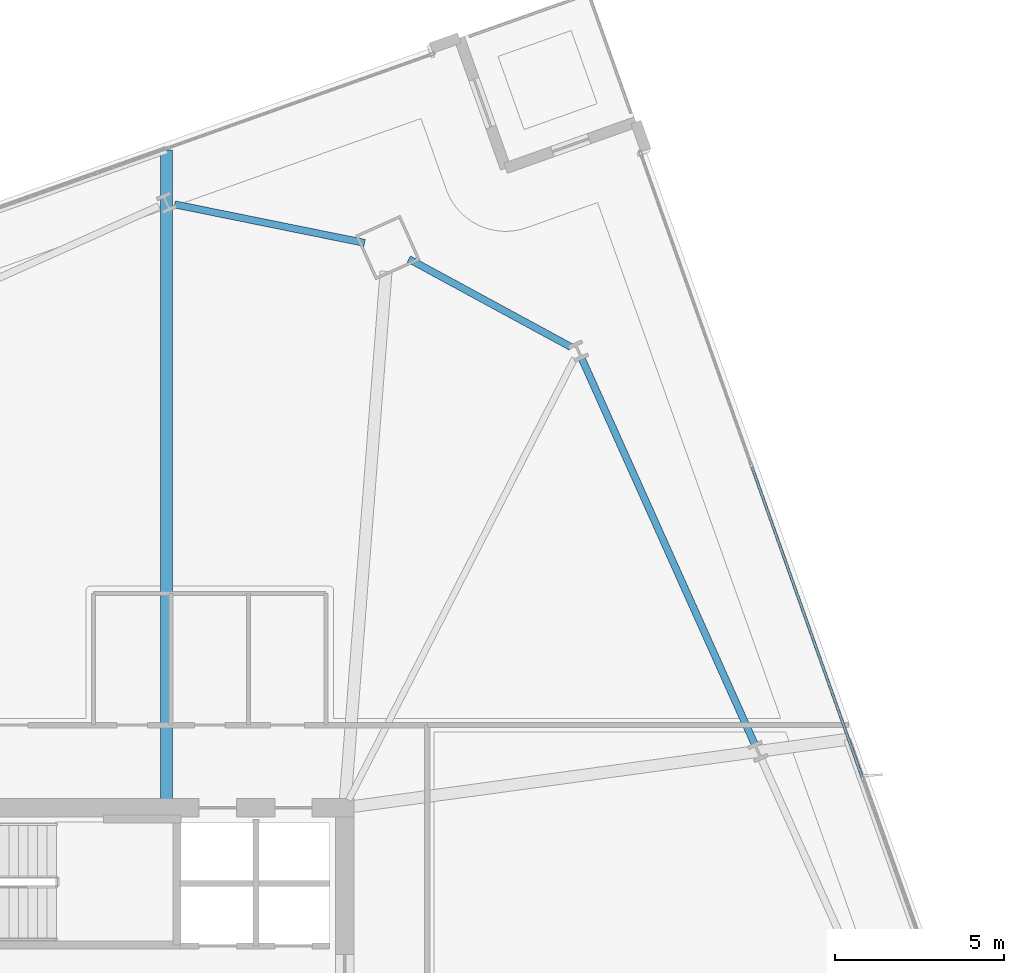
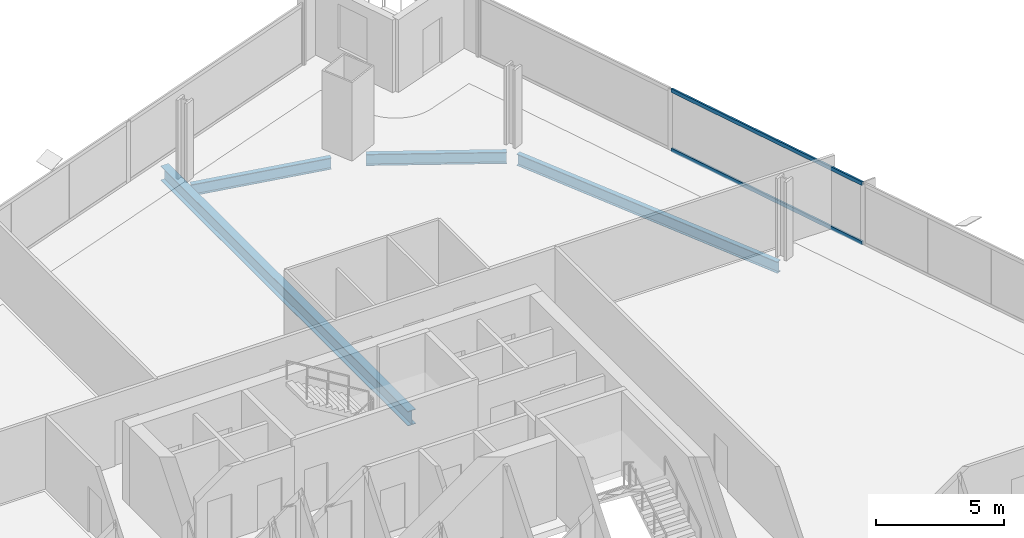
# One storey, part 21 of 33: 4 beams, 2 members, 1 element without a shape of its own.
"""IFC4 building model written with IfcOpenShell, lengths in metres."""

from ifc_helpers import new_model, si_unit, direction, frame, origin, origin_2d, place, context, subcontext, project, spatial, hollow_rectangle, i_section, extrude, material, material_profile, profile_set, type_object, element, aggregate, save


model = new_model("IFC4")

# Units and contexts
model_context = context("Model", 3, precision=1e-05, world=origin(), true_north=direction((0.0, 1.0)))
body_context = subcontext(model_context, "Body", "Model", "MODEL_VIEW")
ifc_project = project(units=[si_unit("LENGTHUNIT", "METRE"), si_unit("AREAUNIT", "SQUARE_METRE"), si_unit("VOLUMEUNIT", "CUBIC_METRE"), si_unit("PLANEANGLEUNIT", "RADIAN"), si_unit("MASSUNIT", "GRAM", prefix="KILO")], contexts=[model_context])

# Site, building, storey
site_placement = place(None, origin())
site = spatial("IfcSite", under=ifc_project, at=site_placement, CompositionType="ELEMENT")
building_placement = place(site_placement, origin())
building = spatial("IfcBuilding", under=site, at=building_placement, Name="Haldenkirk Collegiate Tower", CompositionType="ELEMENT")
storey_placement = place(building_placement, frame((0.0, 0.0, 94.199951171875)))
storey = spatial("IfcBuildingStorey", under=building, at=storey_placement, Name="L22", CompositionType="ELEMENT", Elevation=94.199951171875)

# Beams
ifc_material_1 = material(Name="Steel ASTM A992 Grade 50", Category="steel")
ifc_material_profile_1 = material_profile(ifc_material_1, i_section(OverallWidth=0.35498046875, OverallDepth=0.696044921875, WebThickness=0.015380859375, FlangeThickness=0.02490234375, at=origin_2d()), Name="W27X146")
ifc_profile_set_1 = profile_set([ifc_material_profile_1], Name="Steel ASTM A992 Grade 50")
beam_type_1 = type_object("IfcBeamType", Name="BM-GIRDER-W27X146", PredefinedType="BEAM", material=ifc_profile_set_1)
beam_1_placement = place(storey_placement, frame((39.71630859375, 53.509521484375, -0.64794921875), z_axis=(0.0, -1.0, 0.0), x_axis=(1.0, 0.0, 0.0)))
element("IfcBeam", 1, at=beam_1_placement, inside=storey, type_object=beam_type_1, Name="L22 primary floor girder 11", PredefinedType="BEAM", context=body_context, shape_type="SweptSolid", body=[
    extrude(i_section(OverallWidth=0.35498046875, OverallDepth=0.696044921875, WebThickness=0.015380859375, FlangeThickness=0.02490234375, at=origin_2d()), origin(), (0.0, 0.0, 1.0), 19.254638671875),
])
ifc_material_profile_2 = material_profile(ifc_material_1, i_section(OverallWidth=0.2119140625, OverallDepth=0.5439453125, WebThickness=0.01318359375, FlangeThickness=0.021240234375, at=origin_2d()), Name="W21X83")
ifc_profile_set_2 = profile_set([ifc_material_profile_2], Name="Steel ASTM A992 Grade 50")
beam_type_2 = type_object("IfcBeamType", Name="BM-SPANDREL-W21X83", PredefinedType="SPANDREL", material=ifc_profile_set_2)
beam_2_placement = place(storey_placement, frame((57.15478515625, 35.89111328125, -0.572021484375), z_axis=(-0.409131464477, 0.912475448861, 0.0), x_axis=(-0.912475448861, -0.409131464477, 0.0)))
element("IfcBeam", 2, at=beam_2_placement, inside=storey, type_object=beam_type_2, Name="L22 perimeter spandrel beam 07", PredefinedType="SPANDREL", context=body_context, shape_type="SweptSolid", body=[
    extrude(i_section(OverallWidth=0.2119140625, OverallDepth=0.5439453125, WebThickness=0.01318359375, FlangeThickness=0.021240234375, at=origin_2d()), origin(), (0.0, 0.0, 1.0), 12.524169921875),
])
beam_3_placement = place(storey_placement, frame((51.714599609375, 47.66015625, -0.572021484375), z_axis=(-0.878835810931, 0.477124320723, 0.0), x_axis=(-0.477124320723, -0.878835810931, 0.0)))
element("IfcBeam", 3, at=beam_3_placement, inside=storey, type_object=beam_type_2, Name="L22 perimeter spandrel beam 08", PredefinedType="SPANDREL", context=body_context, shape_type="SweptSolid", body=[
    extrude(i_section(OverallWidth=0.2119140625, OverallDepth=0.5439453125, WebThickness=0.01318359375, FlangeThickness=0.021240234375, at=origin_2d()), origin(), (0.0, 0.0, 1.0), 5.477783203125),
])
beam_4_placement = place(storey_placement, frame((45.590087890625, 50.750244140625, -0.572021484375), z_axis=(-0.980069318183, 0.198655811786, 0.0), x_axis=(-0.198655811786, -0.980069318183, 0.0)))
element("IfcBeam", 4, at=beam_4_placement, inside=storey, type_object=beam_type_2, Name="L22 perimeter spandrel beam 09", PredefinedType="SPANDREL", context=body_context, shape_type="SweptSolid", body=[
    extrude(i_section(OverallWidth=0.2119140625, OverallDepth=0.5439453125, WebThickness=0.01318359375, FlangeThickness=0.021240234375, at=origin_2d()), origin(), (0.0, 0.0, 1.0), 5.747802734375),
])

# Curtain wall, members
ifc_material_2 = material(Name="Anodised architectural bronze aluminium", Category="aluminium")
curtain_wall_type = type_object("IfcCurtainWallType", Name="CW-SYS1-CONVEX-LOW", PredefinedType="USERDEFINED", material=ifc_material_2)
curtain_wall_placement = place(storey_placement, origin())
curtain_wall = element("IfcCurtainWall", 5, at=curtain_wall_placement, inside=storey, type_object=curtain_wall_type, Name="L22 Lower tower convex bronze-framed unitised curtain wall", ObjectType="UNITISED CURTAIN WALL", PredefinedType="USERDEFINED")
ifc_material_profile_3 = material_profile(ifc_material_2, hollow_rectangle(XDim=0.080078125, YDim=0.179931640625, WallThickness=0.0048828125, at=origin_2d()), Name="CW-TRN-1A")
ifc_profile_set_3 = profile_set([ifc_material_profile_3], Name="Anodised architectural bronze aluminium")
member_type = type_object("IfcMemberType", Name="CW-TRN-1A", PredefinedType="USERDEFINED", material=ifc_profile_set_3)
member_1_placement = place(storey_placement, frame((57.076171875, 44.1064453125, 0.0400390625), z_axis=(0.334632499798, -0.942348709385, 0.0), x_axis=(0.942348709385, 0.334632499798, 0.0)))
member_1 = element("IfcMember", 6, at=member_1_placement, type_object=member_type, Name="CW-1A transom 2.1", ObjectType="TRANSOM", PredefinedType="USERDEFINED", context=body_context, shape_type="SweptSolid", body=[
    extrude(hollow_rectangle(XDim=0.080078125, YDim=0.179931640625, WallThickness=0.0048828125, at=origin_2d()), origin(), (0.0, 0.0, 1.0), 9.769775390625),
])
member_2_placement = place(storey_placement, frame((57.076171875, 44.1064453125, 2.861083984375), z_axis=(0.334632499798, -0.942348709385, 0.0), x_axis=(0.942348709385, 0.334632499798, 0.0)))
member_2 = element("IfcMember", 7, at=member_2_placement, type_object=member_type, Name="CW-1A transom 2.2", ObjectType="TRANSOM", PredefinedType="USERDEFINED", context=body_context, shape_type="SweptSolid", body=[
    extrude(hollow_rectangle(XDim=0.080078125, YDim=0.179931640625, WallThickness=0.0048828125, at=origin_2d()), origin(), (0.0, 0.0, 1.0), 9.769775390625),
])
aggregate(curtain_wall, [member_1, member_2])

save(model, "model.ifc")
